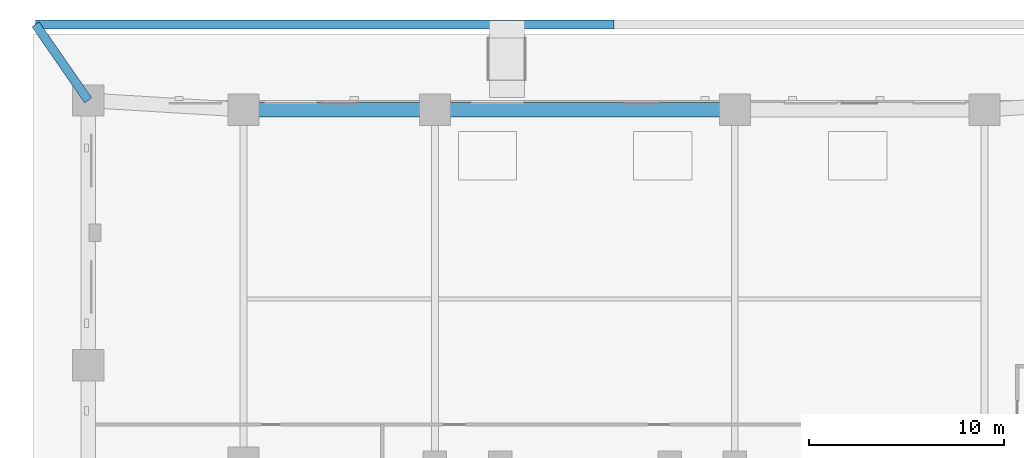
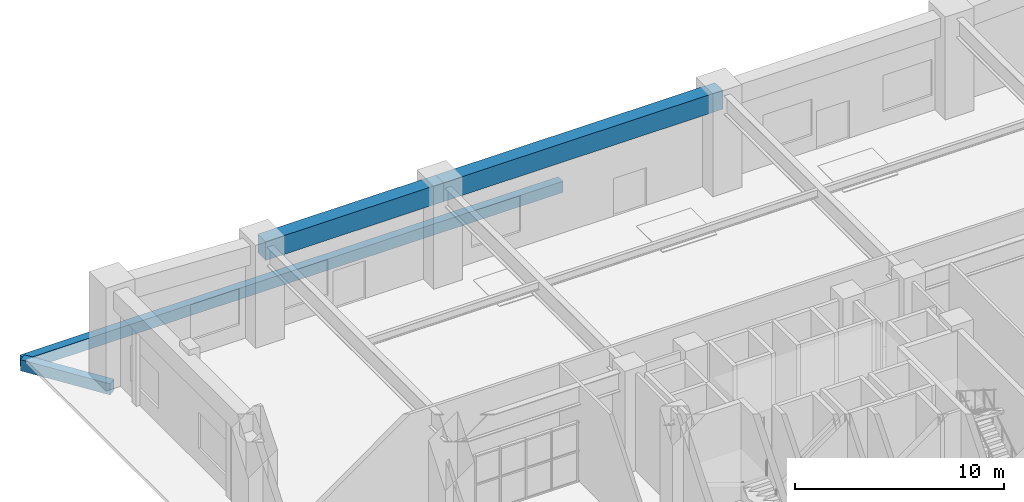
# One storey, part 10 of 24: 4 beams.
"""IFC4 building model written with IfcOpenShell, lengths in metres."""

import ifcopenshell
import ifcopenshell.guid

model = None  # the IFC model being written
_history = None  # IfcOwnerHistory: only IFC2X3 demands one
_inside = {}  # id of a spatial element -> (the spatial element, [elements in it])
_under = {}  # id of a project, library or spatial element -> (it, [spatial elements below it])
_declared = {}  # id of a project -> (the project, [libraries it declares])
_typed = {}  # id of a type object -> (the type object, [elements of that type])
_made_of = {}  # id of a material, layer set ... -> (it, [elements and type objects made of it])


def new_model(schema):
    """Start an empty IFC model of exactly this schema.

    Asked for "IFC4X3", IfcOpenShell would pick the latest addendum, in which some entities
    have other attributes; the version numbers below select the first issue.
    IFC2X3 requires an IfcOwnerHistory on every rooted entity: one is made here for all.
    """
    global model, _history
    if schema == "IFC4X3":
        model = ifcopenshell.file(schema_version=(4, 3, 0, 0))
    else:
        model = ifcopenshell.file(schema=schema)
    _inside.clear()
    _under.clear()
    _declared.clear()
    _typed.clear()
    _made_of.clear()
    _history = None
    if model.schema == "IFC2X3":
        org = make("IfcOrganization", Name="unknown")
        user = make(
            "IfcPersonAndOrganization",
            ThePerson=make("IfcPerson", FamilyName="unknown"),
            TheOrganization=org,
        )
        app = make(
            "IfcApplication",
            ApplicationDeveloper=org,
            Version="unknown",
            ApplicationFullName="unknown",
            ApplicationIdentifier="unknown",
        )
        _history = make(
            "IfcOwnerHistory",
            OwningUser=user,
            OwningApplication=app,
            ChangeAction="ADDED",
            CreationDate=0,
        )
    return model


def make(cls, **values):
    """One entity of the class cls with the attributes given. An attribute that is None is left unset."""
    return model.create_entity(
        cls, **{name: value for name, value in values.items() if value is not None}
    )


def rooted(cls, **values):
    """An entity with a GlobalId (a new one), such as an element, a storey or a relation."""
    return make(cls, GlobalId=ifcopenshell.guid.new(), OwnerHistory=_history, **values)


def si_unit(unit_type, name, prefix=None):
    """IfcSIUnit, for example si_unit("LENGTHUNIT", "METRE", prefix="MILLI")."""
    return make("IfcSIUnit", UnitType=unit_type, Prefix=prefix, Name=name)


def derived_unit(unit_type, elements):
    """IfcDerivedUnit: a product of units, each with its exponent."""
    return make(
        "IfcDerivedUnit",
        Elements=[
            make("IfcDerivedUnitElement", Unit=unit, Exponent=power)
            for unit, power in elements
        ],
        UnitType=unit_type,
    )


def assignment(units):
    """IfcUnitAssignment: the units of a project."""
    return None if units is None else make("IfcUnitAssignment", Units=units)


def point(xyz):
    """IfcCartesianPoint."""
    return None if xyz is None else make("IfcCartesianPoint", Coordinates=xyz)


def direction(xyz):
    """IfcDirection."""
    return None if xyz is None else make("IfcDirection", DirectionRatios=xyz)


def frame(location, z_axis=None, x_axis=None):
    """IfcAxis2Placement3D, a coordinate frame: its origin and axes. An axis left out is left unset."""
    return make(
        "IfcAxis2Placement3D",
        Location=point(location),
        Axis=direction(z_axis),
        RefDirection=direction(x_axis),
    )


def frame_2d(location, x_axis=None):
    """IfcAxis2Placement2D, a coordinate frame in the plane: its origin and x axis."""
    return make(
        "IfcAxis2Placement2D", Location=point(location), RefDirection=direction(x_axis)
    )


def origin():
    """The frame at (0, 0, 0) with its axes left unset."""
    return frame((0.0, 0.0, 0.0))


def origin_2d():
    """The frame at (0, 0) in the plane with its x axis left unset."""
    return frame_2d((0.0, 0.0))


def place(relative_to, where):
    """IfcLocalPlacement: puts the frame where relative to a parent placement (None: the world)."""
    return make(
        "IfcLocalPlacement", PlacementRelTo=relative_to, RelativePlacement=where
    )


def context(
    kind, dimensions, precision=None, world=None, true_north=None, identifier=None
):
    """IfcGeometricRepresentationContext, for example the 3D "Model" context."""
    return make(
        "IfcGeometricRepresentationContext",
        ContextIdentifier=identifier,
        ContextType=kind,
        CoordinateSpaceDimension=dimensions,
        Precision=precision,
        WorldCoordinateSystem=world,
        TrueNorth=true_north,
    )


def subcontext(parent, identifier, kind, view, scale=None):
    """IfcGeometricRepresentationSubContext, for example "Body" below "Model"."""
    return make(
        "IfcGeometricRepresentationSubContext",
        ContextIdentifier=identifier,
        ContextType=kind,
        ParentContext=parent,
        TargetScale=scale,
        TargetView=view,
    )


def project(units=None, contexts=None):
    """IfcProject with its units and contexts."""
    return rooted(
        "IfcProject",
        Name="project",
        RepresentationContexts=contexts,
        UnitsInContext=assignment(units),
    )


def spatial(cls, under=None, at=None, **own):
    """A site, building, storey or space (cls), placed at a placement, below another one or the project."""
    s = rooted(cls, ObjectPlacement=at, **own)
    if under is not None:
        _under.setdefault(under.id(), (under, []))[1].append(s)
    return s


def profile(cls, at=None, kind="AREA", **sizes):
    """A parametric profile (cls). Its sizes go by their IFC names, for example OverallWidth=200.0."""
    return make(cls, ProfileType=kind, Position=at, **sizes)


def rectangle(**sizes):
    """IfcRectangleProfileDef."""
    return profile("IfcRectangleProfileDef", **sizes)


def extrude(swept, where, along, depth):
    """IfcExtrudedAreaSolid: the profile swept, set in the frame where, extruded along a direction by depth."""
    return make(
        "IfcExtrudedAreaSolid",
        SweptArea=swept,
        Position=where,
        ExtrudedDirection=direction(along),
        Depth=depth,
    )


def shape(context_of_items, identifier, shape_type, items):
    """IfcShapeRepresentation: the items that make up one representation, for example the "Body"."""
    return make(
        "IfcShapeRepresentation",
        ContextOfItems=context_of_items,
        RepresentationIdentifier=identifier,
        RepresentationType=shape_type,
        Items=items,
    )


def material(Name=None, Category=None):
    """IfcMaterial."""
    return make("IfcMaterial", Name=Name, Category=Category)


def material_profile(
    of_material, cross_section, Name=None, Category=None, Priority=None
):
    """IfcMaterialProfile: a cross section and its material."""
    return make(
        "IfcMaterialProfile",
        Name=Name,
        Material=of_material,
        Profile=cross_section,
        Priority=Priority,
        Category=Category,
    )


def profile_set(profiles, Name=None, composite=None):
    """IfcMaterialProfileSet."""
    return make(
        "IfcMaterialProfileSet",
        Name=Name,
        MaterialProfiles=profiles,
        CompositeProfile=composite,
    )


def made_of(thing, what):
    """Note that an element or type object is made of a material, layer set ...; save() writes the relation."""
    if what is not None:
        _made_of.setdefault(what.id(), (what, []))[1].append(thing)
    return thing


def type_object(cls, material=None, **own):
    """A type object (cls), such as IfcWallType, which elements share."""
    return made_of(rooted(cls, **own), material)


def element(
    cls,
    number,
    at=None,
    inside=None,
    cuts=None,
    type_object=None,
    material=None,
    context=None,
    identifier="Body",
    shape_type=None,
    held_by="IfcProductDefinitionShape",
    body=None,
    shapes=None,
    **own,
):
    """One element of the class cls, such as IfcWall. Its Tag is "e" and its number.

    at: its placement. inside: the storey or other place that contains it. cuts: it is an
    opening in that element (IfcRelVoidsElement). A single representation is given by context,
    identifier, shape_type and body (its items); several are given by shapes. held_by: the class
    of the entity that holds the representations. save() writes the other relations.
    """
    e = rooted(cls, Tag="e%d" % number, ObjectPlacement=at, **own)
    if body is not None:
        shapes = [shape(context, identifier, shape_type, body)]
    if shapes is not None:
        e.Representation = make(held_by, Representations=shapes)
    if inside is not None:
        _inside.setdefault(inside.id(), (inside, []))[1].append(e)
    if cuts is not None:
        rooted(
            "IfcRelVoidsElement", RelatingBuildingElement=cuts, RelatedOpeningElement=e
        )
    if type_object is not None:
        _typed.setdefault(type_object.id(), (type_object, []))[1].append(e)
    return made_of(e, material)


def aggregate(whole, parts):
    """IfcRelAggregates: a whole, such as a stair, and the parts it consists of."""
    return rooted("IfcRelAggregates", RelatingObject=whole, RelatedObjects=parts)


def save(model, path):
    """Write the relations noted so far, then the file.

    IfcRelAggregates (storeys below a building ...), IfcRelContainedInSpatialStructure (elements
    in a storey), IfcRelDefinesByType, IfcRelAssociatesMaterial and IfcRelDeclares: one each for
    every whole, place, type object, material and project.
    """
    for whole, parts in _under.values():
        aggregate(whole, parts)
    for where, things in _inside.values():
        rooted(
            "IfcRelContainedInSpatialStructure",
            RelatedElements=things,
            RelatingStructure=where,
        )
    for kind, things in _typed.values():
        rooted("IfcRelDefinesByType", RelatedObjects=things, RelatingType=kind)
    for what, things in _made_of.values():
        rooted("IfcRelAssociatesMaterial", RelatedObjects=things, RelatingMaterial=what)
    for by, libraries in _declared.values():
        rooted("IfcRelDeclares", RelatingContext=by, RelatedDefinitions=libraries)
    model.write(path)


model = new_model("IFC4")

# Units and contexts
model_context = context("Model", 3, precision=1e-05, world=origin(), true_north=direction((0.0, 1.0)))
body_context = subcontext(model_context, "Body", "Model", "MODEL_VIEW")
ifc_project = project(units=[si_unit("LENGTHUNIT", "METRE"), si_unit("AREAUNIT", "SQUARE_METRE"), si_unit("VOLUMEUNIT", "CUBIC_METRE"), si_unit("PLANEANGLEUNIT", "RADIAN"), si_unit("MASSUNIT", "GRAM", prefix="KILO"), derived_unit("THERMALTRANSMITTANCEUNIT", [(si_unit("MASSUNIT", "GRAM", prefix="KILO"), 1), (si_unit("TIMEUNIT", "SECOND"), -3), (si_unit("THERMODYNAMICTEMPERATUREUNIT", "KELVIN"), -1)])], contexts=[model_context])

# Site, building, storey
site_placement = place(None, origin())
site = spatial("IfcSite", under=ifc_project, at=site_placement, CompositionType="ELEMENT")
building_placement = place(site_placement, origin())
building = spatial("IfcBuilding", under=site, at=building_placement, Name="Korrvale Station Residences", CompositionType="ELEMENT")
storey_placement = place(building_placement, origin())
storey = spatial("IfcBuildingStorey", under=building, at=storey_placement, Name="L00", CompositionType="ELEMENT", Elevation=0.0)

# Beams
ifc_material_1 = material(Name="Concrete C50/60", Category="concrete")
ifc_material_profile_1 = material_profile(ifc_material_1, rectangle(XDim=0.449951171875, YDim=0.64990234375, at=origin_2d()), Name="RCB450x650")
ifc_profile_set_1 = profile_set([ifc_material_profile_1], Name="Concrete C50/60")
beam_type_1 = type_object("IfcBeamType", Name="BM-BM-RCB450x650-C5060", PredefinedType="BEAM", material=ifc_profile_set_1)
beam_1_placement = place(storey_placement, frame((-2.699951171875, 51.5, -0.52490234375), z_axis=(1.0, 0.0, 0.0), x_axis=(0.0, 1.0, 0.0)))
element("IfcBeam", 1, at=beam_1_placement, inside=storey, type_object=beam_type_1, Name="L00 Station Forecourt Edge Beam 3", PredefinedType="BEAM", context=body_context, shape_type="SweptSolid", body=[
    extrude(rectangle(XDim=0.449951171875, YDim=0.64990234375, at=origin_2d()), origin(), (0.0, 0.0, 1.0), 29.699951171875),
])
beam_2_placement = place(storey_placement, frame((-2.699951171875, 51.5, -0.52490234375), z_axis=(0.569212655295, -0.8221903387, 0.0), x_axis=(0.8221903387, 0.569212655295, 0.0)))
element("IfcBeam", 2, at=beam_2_placement, inside=storey, type_object=beam_type_1, Name="L00 Station Forecourt Edge Beam 7", PredefinedType="BEAM", context=body_context, shape_type="SweptSolid", body=[
    extrude(rectangle(XDim=0.449951171875, YDim=0.64990234375, at=origin_2d()), origin(), (0.0, 0.0, 1.0), 4.743408203125),
])
ifc_material_2 = material(Name="Concrete C70/85", Category="concrete")
ifc_material_profile_2 = material_profile(ifc_material_2, rectangle(XDim=0.75, YDim=1.10009765625, at=origin_2d()), Name="RCB750x1100")
ifc_profile_set_2 = profile_set([ifc_material_profile_2], Name="Concrete C70/85")
beam_type_2 = type_object("IfcBeamType", Name="BM-SPB-RCB750x1100-C7085", PredefinedType="SPANDREL", material=ifc_profile_set_2)
beam_3_placement = place(storey_placement, frame((7.97998046875, 47.1201171875, 5.1298828125), z_axis=(1.0, 0.0, 0.0), x_axis=(0.0, 1.0, 0.0)))
element("IfcBeam", 3, at=beam_3_placement, inside=storey, type_object=beam_type_2, Name="L00 Station Spandrel Beam 17", PredefinedType="SPANDREL", context=body_context, shape_type="SweptSolid", body=[
    extrude(rectangle(XDim=0.75, YDim=1.10009765625, at=origin_2d()), origin(), (0.0, 0.0, 1.0), 9.820068359375),
])
beam_4_placement = place(storey_placement, frame((17.800048828125, 47.1201171875, 5.1298828125), z_axis=(1.0, 0.0, 0.0), x_axis=(0.0, 1.0, 0.0)))
element("IfcBeam", 4, at=beam_4_placement, inside=storey, type_object=beam_type_2, Name="L00 Station Spandrel Beam 18", PredefinedType="SPANDREL", context=body_context, shape_type="SweptSolid", body=[
    extrude(rectangle(XDim=0.75, YDim=1.10009765625, at=origin_2d()), origin(), (0.0, 0.0, 1.0), 15.39990234375),
])

save(model, "model.ifc")
